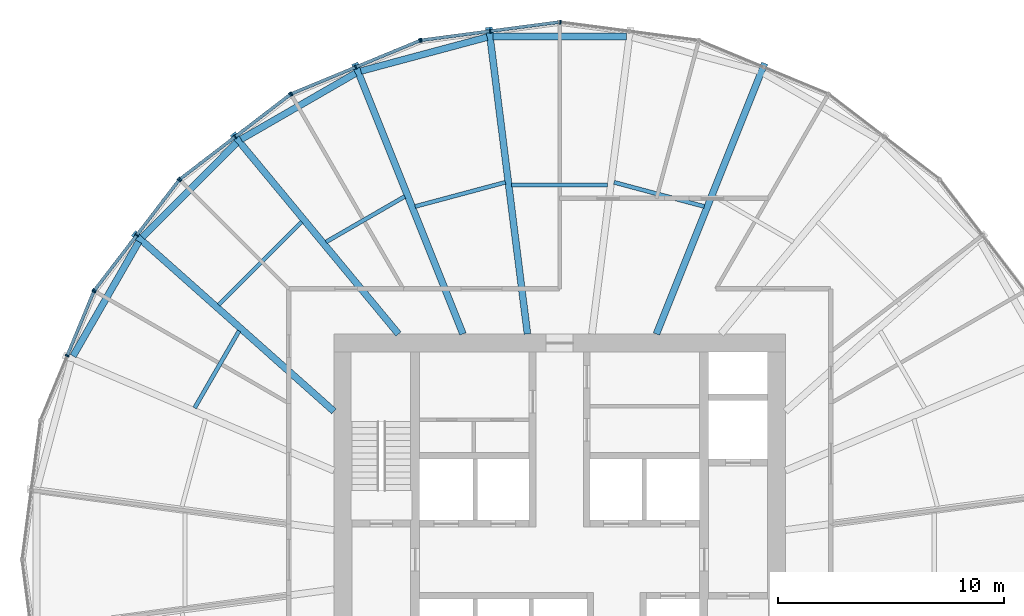
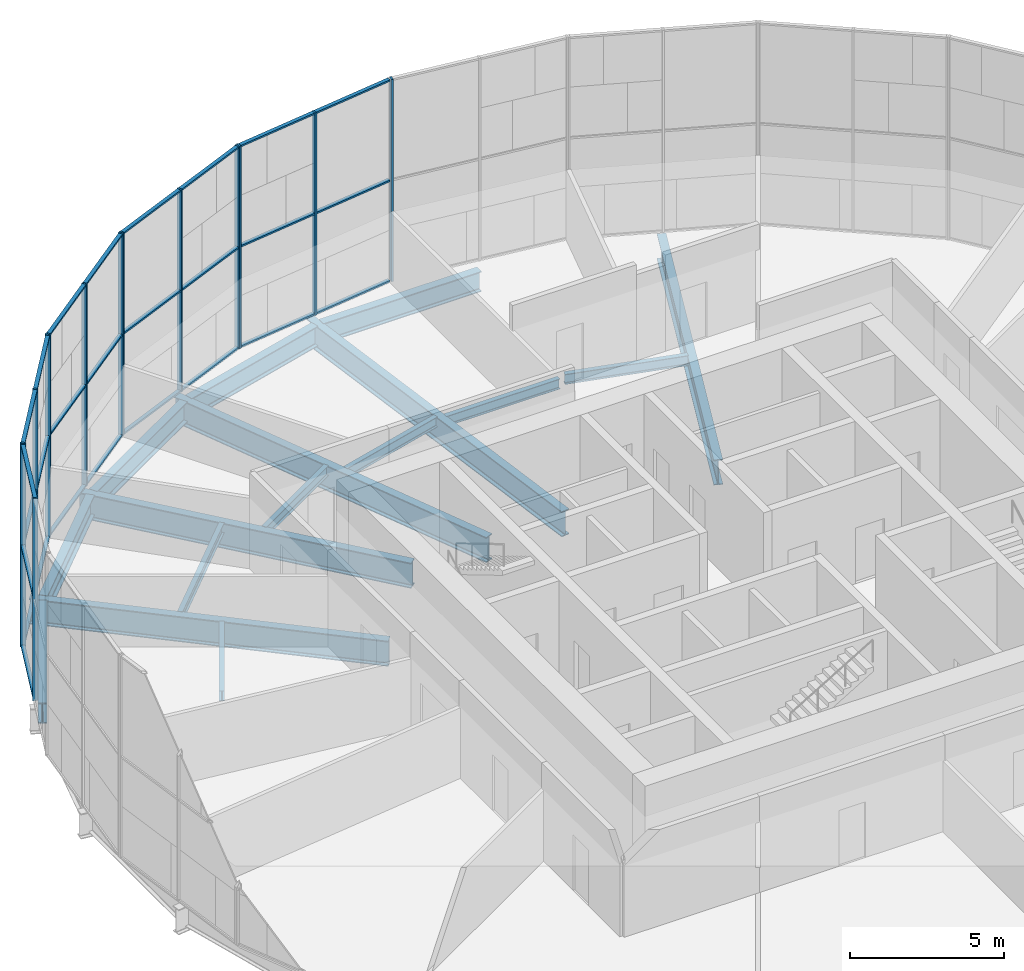
# One storey, part 6 of 18: 41 members, 16 beams, 6 elements without a shape of their own.
"""IFC4 building model written with IfcOpenShell, lengths in metres."""

from ifc_helpers import new_model, si_unit, direction, frame, origin, origin_2d, place, context, subcontext, project, spatial, rectangle, i_section, extrude, material, material_profile, profile_set, type_object, element, aggregate, save


model = new_model("IFC4")

# Units and contexts
model_context = context("Model", 3, precision=1e-05, world=origin(), true_north=direction((0.0, 1.0)))
body_context = subcontext(model_context, "Body", "Model", "MODEL_VIEW")
ifc_project = project(units=[si_unit("LENGTHUNIT", "METRE"), si_unit("AREAUNIT", "SQUARE_METRE"), si_unit("VOLUMEUNIT", "CUBIC_METRE"), si_unit("PLANEANGLEUNIT", "RADIAN"), si_unit("MASSUNIT", "GRAM", prefix="KILO")], contexts=[model_context])

# Site, building, storey
site_placement = place(None, origin())
site = spatial("IfcSite", under=ifc_project, at=site_placement, CompositionType="ELEMENT")
building_placement = place(site_placement, origin())
building = spatial("IfcBuilding", under=site, at=building_placement, Name="Golbaran Civic Tower", CompositionType="ELEMENT")
storey_placement = place(building_placement, frame((0.0, 0.0, 61.0)))
storey = spatial("IfcBuildingStorey", under=building, at=storey_placement, Name="L14", CompositionType="ELEMENT", Elevation=61.0)

# Beams
ifc_material_1 = material(Name="Steel S355", Category="steel")
ifc_material_profile_1 = material_profile(ifc_material_1, i_section(OverallWidth=0.300048828125, OverallDepth=0.800048828125, WebThickness=0.017578125, FlangeThickness=0.032958984375, FilletRadius=0.030029296875, at=origin_2d()), Name="HEB 800")
ifc_profile_set_1 = profile_set([ifc_material_profile_1], Name="Steel S355")
beam_type_1 = type_object("IfcBeamType", Name="EDGE BEAM HEB 800", PredefinedType="BEAM", material=ifc_profile_set_1)
beam_1_placement = place(storey_placement, frame((2.957763671875, 23.178466796875, -0.60009765625), z_axis=(-1.0, 0.0, 0.0), x_axis=(0.0, -1.0, 0.0)))
element("IfcBeam", 1, at=beam_1_placement, inside=storey, type_object=beam_type_1, Name="Edge beam 82.43 L14", PredefinedType="BEAM", context=body_context, shape_type="SweptSolid", body=[
    extrude(i_section(OverallWidth=0.300048828125, OverallDepth=0.800048828125, WebThickness=0.017578125, FlangeThickness=0.032958984375, FilletRadius=0.030029296875, at=origin_2d()), origin(), (0.0, 0.0, 1.0), 5.91552734375),
])
beam_2_placement = place(storey_placement, frame((-3.215576171875, 23.144287109375, -0.60009765625), z_axis=(-0.965827642387, -0.259185194795, 0.0), x_axis=(0.259185194795, -0.965827642387, 0.0)))
element("IfcBeam", 2, at=beam_2_placement, inside=storey, type_object=beam_type_1, Name="Edge beam 97.57 L14", PredefinedType="BEAM", context=body_context, shape_type="SweptSolid", body=[
    extrude(i_section(OverallWidth=0.300048828125, OverallDepth=0.800048828125, WebThickness=0.017578125, FlangeThickness=0.032958984375, FilletRadius=0.030029296875, at=origin_2d()), origin(), (0.0, 0.0, 1.0), 5.787353515625),
])
beam_3_placement = place(storey_placement, frame((-9.04541015625, 21.544677734375, -0.60009765625), z_axis=(-0.866302963931, -0.499518943269, 0.0), x_axis=(0.499518943269, -0.866302963931, 0.0)))
element("IfcBeam", 3, at=beam_3_placement, inside=storey, type_object=beam_type_1, Name="Edge beam 112.43 L14", PredefinedType="BEAM", context=body_context, shape_type="SweptSolid", body=[
    extrude(i_section(OverallWidth=0.300048828125, OverallDepth=0.800048828125, WebThickness=0.017578125, FlangeThickness=0.032958984375, FilletRadius=0.030029296875, at=origin_2d()), origin(), (0.0, 0.0, 1.0), 5.850830078125),
])
beam_4_placement = place(storey_placement, frame((-14.320556640625, 18.4638671875, -0.60009765625), z_axis=(-0.706526914156, -0.707686173083, 0.0), x_axis=(0.707686173083, -0.706526914156, 0.0)))
element("IfcBeam", 4, at=beam_4_placement, inside=storey, type_object=beam_type_1, Name="Edge beam 127.57 L14", PredefinedType="BEAM", context=body_context, shape_type="SweptSolid", body=[
    extrude(i_section(OverallWidth=0.300048828125, OverallDepth=0.800048828125, WebThickness=0.017578125, FlangeThickness=0.032958984375, FilletRadius=0.030029296875, at=origin_2d()), origin(), (0.0, 0.0, 1.0), 5.896728515625),
])
beam_5_placement = place(storey_placement, frame((-18.64501953125, 14.08349609375, -0.60009765625), z_axis=(-0.49836662023, -0.866966384493, 0.0), x_axis=(0.866966384493, -0.49836662023, 0.0)))
element("IfcBeam", 5, at=beam_5_placement, inside=storey, type_object=beam_type_1, Name="Edge beam 142.43 L14", PredefinedType="BEAM", context=body_context, shape_type="SweptSolid", body=[
    extrude(i_section(OverallWidth=0.300048828125, OverallDepth=0.800048828125, WebThickness=0.017578125, FlangeThickness=0.032958984375, FilletRadius=0.030029296875, at=origin_2d()), origin(), (0.0, 0.0, 1.0), 5.837890625),
])
ifc_material_profile_2 = material_profile(ifc_material_1, i_section(OverallWidth=0.179931640625, OverallDepth=0.39990234375, WebThickness=0.008544921875, FlangeThickness=0.013427734375, FilletRadius=0.02099609375, at=origin_2d()), Name="IPE 400")
ifc_profile_set_2 = profile_set([ifc_material_profile_2], Name="Steel S355")
beam_type_2 = type_object("IfcBeamType", Name="FLOOR INFILL BEAM IPE 400", PredefinedType="BEAM", material=ifc_profile_set_2)
beam_6_placement = place(storey_placement, frame((6.404541015625, 15.645263671875, -0.39990234375), z_axis=(-0.965921990313, 0.258833360735, 0.0), x_axis=(-0.258833360735, -0.965921990313, 0.0)))
element("IfcBeam", 6, at=beam_6_placement, inside=storey, type_object=beam_type_2, Name="Infill beam 75.00 L14", PredefinedType="BEAM", context=body_context, shape_type="SweptSolid", body=[
    extrude(i_section(OverallWidth=0.179931640625, OverallDepth=0.39990234375, WebThickness=0.008544921875, FlangeThickness=0.013427734375, FilletRadius=0.02099609375, at=origin_2d()), origin(), (0.0, 0.0, 1.0), 4.139892578125),
])
beam_7_placement = place(storey_placement, frame((2.127685546875, 16.589111328125, -0.39990234375), z_axis=(-1.0, 0.0, 0.0), x_axis=(0.0, -1.0, 0.0)))
element("IfcBeam", 7, at=beam_7_placement, inside=storey, type_object=beam_type_2, Name="Infill beam 90.00 L14", PredefinedType="BEAM", context=body_context, shape_type="SweptSolid", body=[
    extrude(i_section(OverallWidth=0.179931640625, OverallDepth=0.39990234375, WebThickness=0.008544921875, FlangeThickness=0.013427734375, FilletRadius=0.02099609375, at=origin_2d()), origin(), (0.0, 0.0, 1.0), 4.25537109375),
])
beam_8_placement = place(storey_placement, frame((-2.40576171875, 16.716796875, -0.39990234375), z_axis=(-0.965921990313, -0.258833360735, 0.0), x_axis=(0.258833360735, -0.965921990313, 0.0)))
element("IfcBeam", 8, at=beam_8_placement, inside=storey, type_object=beam_type_2, Name="Infill beam 105.00 L14", PredefinedType="BEAM", context=body_context, shape_type="SweptSolid", body=[
    extrude(i_section(OverallWidth=0.179931640625, OverallDepth=0.39990234375, WebThickness=0.008544921875, FlangeThickness=0.013427734375, FilletRadius=0.02099609375, at=origin_2d()), origin(), (0.0, 0.0, 1.0), 4.139892578125),
])
beam_9_placement = place(storey_placement, frame((-6.8623046875, 16.089111328125, -0.39990234375), z_axis=(-0.866033119956, -0.499986634961, 0.0), x_axis=(0.499986634961, -0.866033119956, 0.0)))
element("IfcBeam", 9, at=beam_9_placement, inside=storey, type_object=beam_type_2, Name="Infill beam 120.00 L14", PredefinedType="BEAM", context=body_context, shape_type="SweptSolid", body=[
    extrude(i_section(OverallWidth=0.179931640625, OverallDepth=0.39990234375, WebThickness=0.008544921875, FlangeThickness=0.013427734375, FilletRadius=0.02099609375, at=origin_2d()), origin(), (0.0, 0.0, 1.0), 4.0263671875),
])
beam_10_placement = place(storey_placement, frame((-11.424072265625, 14.96630859375, -0.39990234375), z_axis=(-0.707106781187, -0.707106781187, 0.0), x_axis=(0.707106781187, -0.707106781187, 0.0)))
element("IfcBeam", 10, at=beam_10_placement, inside=storey, type_object=beam_type_2, Name="Infill beam 135.00 L14", PredefinedType="BEAM", context=body_context, shape_type="SweptSolid", body=[
    extrude(i_section(OverallWidth=0.179931640625, OverallDepth=0.39990234375, WebThickness=0.008544921875, FlangeThickness=0.013427734375, FilletRadius=0.02099609375, at=origin_2d()), origin(), (0.0, 0.0, 1.0), 5.20654296875),
])
beam_11_placement = place(storey_placement, frame((-14.201416015625, 10.1328125, -0.39990234375), z_axis=(-0.499985342893, -0.866033865904, 0.0), x_axis=(0.866033865904, -0.499985342893, 0.0)))
element("IfcBeam", 11, at=beam_11_placement, inside=storey, type_object=beam_type_2, Name="Infill beam 150.00 L14", PredefinedType="BEAM", context=body_context, shape_type="SweptSolid", body=[
    extrude(i_section(OverallWidth=0.179931640625, OverallDepth=0.39990234375, WebThickness=0.008544921875, FlangeThickness=0.013427734375, FilletRadius=0.02099609375, at=origin_2d()), origin(), (0.0, 0.0, 1.0), 3.93896484375),
])

# Curtain wall, member
ifc_material_2 = material(Name="Aluminium and glass", Category="aluminium")
curtain_wall_type = type_object("IfcCurtainWallType", Name="INNER SKIN CURTAIN WALL", PredefinedType="NOTDEFINED", material=ifc_material_2)
curtain_wall_1_placement = place(storey_placement, origin())
curtain_wall_1 = element("IfcCurtainWall", 12, at=curtain_wall_1_placement, inside=storey, type_object=curtain_wall_type, Name="Inner skin L14 facet 6 CW1", ObjectType="INNER SKIN", PredefinedType="USERDEFINED")
ifc_material_3 = material(Name="Aluminium", Category="aluminium")
ifc_material_profile_3 = material_profile(ifc_material_3, rectangle(XDim=0.179931640625, YDim=0.06494140625, at=origin_2d()), Name="INNER SKIN CURTAIN WALL MULLION")
ifc_profile_set_3 = profile_set([ifc_material_profile_3], Name="Aluminium")
member_type_1 = type_object("IfcMemberType", Name="INNER SKIN CURTAIN WALL MULLION", PredefinedType="MULLION", material=ifc_profile_set_3)
member_1_placement = place(storey_placement, frame((0.0322265625, 23.812744140625, 0.0), z_axis=(0.0, 0.0, 1.0), x_axis=(-0.130526192185, -0.991444861378, 0.0)))
member_1 = element("IfcMember", 13, at=member_1_placement, type_object=member_type_1, Name="CW1 mullion 3", PredefinedType="MULLION", context=body_context, shape_type="SweptSolid", body=[
    extrude(rectangle(XDim=0.179931640625, YDim=0.06494140625, at=origin_2d()), origin(), (0.0, 0.0, 1.0), 8.0),
])
aggregate(curtain_wall_1, [member_1])

# Curtain wall, members
curtain_wall_2_placement = place(storey_placement, origin())
curtain_wall_2 = element("IfcCurtainWall", 14, at=curtain_wall_2_placement, inside=storey, type_object=curtain_wall_type, Name="Inner skin L14 facet 7 CW1", ObjectType="INNER SKIN", PredefinedType="USERDEFINED")
member_2_placement = place(storey_placement, frame((-3.08203125, 23.4111328125, 0.0), z_axis=(0.0, 0.0, 1.0), x_axis=(0.130526192185, -0.991444861378, 0.0)))
member_2 = element("IfcMember", 15, at=member_2_placement, type_object=member_type_1, Name="CW1 mullion 2", PredefinedType="MULLION", context=body_context, shape_type="SweptSolid", body=[
    extrude(rectangle(XDim=0.179931640625, YDim=0.06494140625, at=origin_2d()), origin(), (0.0, 0.0, 1.0), 8.0),
])
member_3_placement = place(storey_placement, frame((-6.132080078125, 23.009765625, 0.0), z_axis=(0.0, 0.0, 1.0), x_axis=(0.130526192185, -0.991444861378, 0.0)))
member_3 = element("IfcMember", 16, at=member_3_placement, type_object=member_type_1, Name="CW1 mullion 3", PredefinedType="MULLION", context=body_context, shape_type="SweptSolid", body=[
    extrude(rectangle(XDim=0.179931640625, YDim=0.06494140625, at=origin_2d()), origin(), (0.0, 0.0, 1.0), 8.0),
])

curtain_wall_3_placement = place(storey_placement, origin())
curtain_wall_3 = element("IfcCurtainWall", 17, at=curtain_wall_3_placement, inside=storey, type_object=curtain_wall_type, Name="Inner skin L14 facet 8 CW1", ObjectType="INNER SKIN", PredefinedType="USERDEFINED")
member_4_placement = place(storey_placement, frame((-6.1943359375, 22.992919921875, 0.0), z_axis=(0.0, 0.0, 1.0), x_axis=(0.382683432381, -0.923879532505, 0.0)))
member_4 = element("IfcMember", 18, at=member_4_placement, type_object=member_type_1, Name="CW1 mullion 1", PredefinedType="MULLION", context=body_context, shape_type="SweptSolid", body=[
    extrude(rectangle(XDim=0.179931640625, YDim=0.06494140625, at=origin_2d()), origin(), (0.0, 0.0, 1.0), 8.0),
])
member_5_placement = place(storey_placement, frame((-9.036376953125, 21.815673828125, 0.0), z_axis=(0.0, 0.0, 1.0), x_axis=(0.382683432381, -0.923879532505, 0.0)))
member_5 = element("IfcMember", 19, at=member_5_placement, type_object=member_type_1, Name="CW1 mullion 2", PredefinedType="MULLION", context=body_context, shape_type="SweptSolid", body=[
    extrude(rectangle(XDim=0.179931640625, YDim=0.06494140625, at=origin_2d()), origin(), (0.0, 0.0, 1.0), 8.0),
])
member_6_placement = place(storey_placement, frame((-11.87841796875, 20.638671875, 0.0), z_axis=(0.0, 0.0, 1.0), x_axis=(0.382683432381, -0.923879532505, 0.0)))
member_6 = element("IfcMember", 20, at=member_6_placement, type_object=member_type_1, Name="CW1 mullion 3", PredefinedType="MULLION", context=body_context, shape_type="SweptSolid", body=[
    extrude(rectangle(XDim=0.179931640625, YDim=0.06494140625, at=origin_2d()), origin(), (0.0, 0.0, 1.0), 8.0),
])

curtain_wall_4_placement = place(storey_placement, origin())
curtain_wall_4 = element("IfcCurtainWall", 21, at=curtain_wall_4_placement, inside=storey, type_object=curtain_wall_type, Name="Inner skin L14 facet 9 CW1", ObjectType="INNER SKIN", PredefinedType="USERDEFINED")
member_7_placement = place(storey_placement, frame((-11.934326171875, 20.6064453125, 0.0), z_axis=(0.0, 0.0, 1.0), x_axis=(0.608761428926, -0.793353340355, 0.0)))
member_7 = element("IfcMember", 22, at=member_7_placement, type_object=member_type_1, Name="CW1 mullion 1", PredefinedType="MULLION", context=body_context, shape_type="SweptSolid", body=[
    extrude(rectangle(XDim=0.179931640625, YDim=0.06494140625, at=origin_2d()), origin(), (0.0, 0.0, 1.0), 8.0),
])
member_8_placement = place(storey_placement, frame((-14.374755859375, 18.733642578125, 0.0), z_axis=(0.0, 0.0, 1.0), x_axis=(0.608761428926, -0.793353340355, 0.0)))
member_8 = element("IfcMember", 23, at=member_8_placement, type_object=member_type_1, Name="CW1 mullion 2", PredefinedType="MULLION", context=body_context, shape_type="SweptSolid", body=[
    extrude(rectangle(XDim=0.179931640625, YDim=0.06494140625, at=origin_2d()), origin(), (0.0, 0.0, 1.0), 8.0),
])
member_9_placement = place(storey_placement, frame((-16.8154296875, 16.86083984375, 0.0), z_axis=(0.0, 0.0, 1.0), x_axis=(0.608761428926, -0.793353340355, 0.0)))
member_9 = element("IfcMember", 24, at=member_9_placement, type_object=member_type_1, Name="CW1 mullion 3", PredefinedType="MULLION", context=body_context, shape_type="SweptSolid", body=[
    extrude(rectangle(XDim=0.179931640625, YDim=0.06494140625, at=origin_2d()), origin(), (0.0, 0.0, 1.0), 8.0),
])

curtain_wall_5_placement = place(storey_placement, origin())
curtain_wall_5 = element("IfcCurtainWall", 25, at=curtain_wall_5_placement, inside=storey, type_object=curtain_wall_type, Name="Inner skin L14 facet 10 CW1", ObjectType="INNER SKIN", PredefinedType="USERDEFINED")
member_10_placement = place(storey_placement, frame((-16.86083984375, 16.8154296875, 0.0), z_axis=(0.0, 0.0, 1.0), x_axis=(0.793353340355, -0.608761428926, 0.0)))
member_10 = element("IfcMember", 26, at=member_10_placement, type_object=member_type_1, Name="CW1 mullion 1", PredefinedType="MULLION", context=body_context, shape_type="SweptSolid", body=[
    extrude(rectangle(XDim=0.179931640625, YDim=0.06494140625, at=origin_2d()), origin(), (0.0, 0.0, 1.0), 8.0),
])
member_11_placement = place(storey_placement, frame((-18.733642578125, 14.374755859375, 0.0), z_axis=(0.0, 0.0, 1.0), x_axis=(0.793353340355, -0.608761428926, 0.0)))
member_11 = element("IfcMember", 27, at=member_11_placement, type_object=member_type_1, Name="CW1 mullion 2", PredefinedType="MULLION", context=body_context, shape_type="SweptSolid", body=[
    extrude(rectangle(XDim=0.179931640625, YDim=0.06494140625, at=origin_2d()), origin(), (0.0, 0.0, 1.0), 8.0),
])
member_12_placement = place(storey_placement, frame((-20.6064453125, 11.934326171875, 0.0), z_axis=(0.0, 0.0, 1.0), x_axis=(0.793353340355, -0.608761428926, 0.0)))
member_12 = element("IfcMember", 28, at=member_12_placement, type_object=member_type_1, Name="CW1 mullion 3", PredefinedType="MULLION", context=body_context, shape_type="SweptSolid", body=[
    extrude(rectangle(XDim=0.179931640625, YDim=0.06494140625, at=origin_2d()), origin(), (0.0, 0.0, 1.0), 8.0),
])

curtain_wall_6_placement = place(storey_placement, origin())
curtain_wall_6 = element("IfcCurtainWall", 29, at=curtain_wall_6_placement, inside=storey, type_object=curtain_wall_type, Name="Inner skin L14 facet 11 CW1", ObjectType="INNER SKIN", PredefinedType="USERDEFINED")
member_13_placement = place(storey_placement, frame((-20.638671875, 11.87841796875, 0.0), z_axis=(0.0, 0.0, 1.0), x_axis=(0.923879532505, -0.382683432381, 0.0)))
member_13 = element("IfcMember", 30, at=member_13_placement, type_object=member_type_1, Name="CW1 mullion 1", PredefinedType="MULLION", context=body_context, shape_type="SweptSolid", body=[
    extrude(rectangle(XDim=0.179931640625, YDim=0.06494140625, at=origin_2d()), origin(), (0.0, 0.0, 1.0), 8.0),
])
member_14_placement = place(storey_placement, frame((-21.815673828125, 9.036376953125, 0.0), z_axis=(0.0, 0.0, 1.0), x_axis=(0.923879532505, -0.382683432381, 0.0)))
member_14 = element("IfcMember", 31, at=member_14_placement, type_object=member_type_1, Name="CW1 mullion 2", PredefinedType="MULLION", context=body_context, shape_type="SweptSolid", body=[
    extrude(rectangle(XDim=0.179931640625, YDim=0.06494140625, at=origin_2d()), origin(), (0.0, 0.0, 1.0), 8.0),
])

# Member
ifc_material_profile_4 = material_profile(ifc_material_3, rectangle(XDim=0.139892578125, YDim=0.06494140625, at=origin_2d()), Name="INNER SKIN CURTAIN WALL TRANSOM")
ifc_profile_set_4 = profile_set([ifc_material_profile_4], Name="Aluminium")
member_type_2 = type_object("IfcMemberType", Name="INNER SKIN CURTAIN WALL TRANSOM", PredefinedType="USERDEFINED", material=ifc_profile_set_4)
member_15_placement = place(storey_placement, frame((-0.064453125, 23.80859375, 0.032470703125), z_axis=(-0.991443253224, -0.130538406746, 0.0), x_axis=(0.130538406746, -0.991443253224, 0.0)))
member_15 = element("IfcMember", 32, at=member_15_placement, type_object=member_type_2, Name="CW1 transom 1.1", ObjectType="TRANSOM", PredefinedType="USERDEFINED", context=body_context, shape_type="SweptSolid", body=[
    extrude(rectangle(XDim=0.139892578125, YDim=0.06494140625, at=origin_2d()), origin(), (0.0, 0.0, 1.0), 3.01123046875),
])

member_16_placement = place(storey_placement, frame((-0.064453125, 23.80859375, 4.0), z_axis=(-0.991443253224, -0.130538406746, 0.0), x_axis=(0.130538406746, -0.991443253224, 0.0)))
member_16 = element("IfcMember", 33, at=member_16_placement, type_object=member_type_2, Name="CW1 transom 1.2", ObjectType="TRANSOM", PredefinedType="USERDEFINED", context=body_context, shape_type="SweptSolid", body=[
    extrude(rectangle(XDim=0.139892578125, YDim=0.06494140625, at=origin_2d()), origin(), (0.0, 0.0, 1.0), 3.01123046875),
])

member_17_placement = place(storey_placement, frame((-0.064453125, 23.80859375, 7.967529296875), z_axis=(-0.991443253224, -0.130538406746, 0.0), x_axis=(0.130538406746, -0.991443253224, 0.0)))
member_17 = element("IfcMember", 34, at=member_17_placement, type_object=member_type_2, Name="CW1 transom 1.3", ObjectType="TRANSOM", PredefinedType="USERDEFINED", context=body_context, shape_type="SweptSolid", body=[
    extrude(rectangle(XDim=0.139892578125, YDim=0.06494140625, at=origin_2d()), origin(), (0.0, 0.0, 1.0), 3.01123046875),
])

member_18_placement = place(storey_placement, frame((-3.1142578125, 23.406982421875, 0.032470703125), z_axis=(-0.991444634679, -0.130527914125, 0.0), x_axis=(0.130527914125, -0.991444634679, 0.0)))
member_18 = element("IfcMember", 35, at=member_18_placement, type_object=member_type_2, Name="CW1 transom 2.1", ObjectType="TRANSOM", PredefinedType="USERDEFINED", context=body_context, shape_type="SweptSolid", body=[
    extrude(rectangle(XDim=0.139892578125, YDim=0.06494140625, at=origin_2d()), origin(), (0.0, 0.0, 1.0), 3.011474609375),
])

member_19_placement = place(storey_placement, frame((-3.1142578125, 23.406982421875, 4.0), z_axis=(-0.991444634679, -0.130527914125, 0.0), x_axis=(0.130527914125, -0.991444634679, 0.0)))
member_19 = element("IfcMember", 36, at=member_19_placement, type_object=member_type_2, Name="CW1 transom 2.2", ObjectType="TRANSOM", PredefinedType="USERDEFINED", context=body_context, shape_type="SweptSolid", body=[
    extrude(rectangle(XDim=0.139892578125, YDim=0.06494140625, at=origin_2d()), origin(), (0.0, 0.0, 1.0), 3.011474609375),
])

member_20_placement = place(storey_placement, frame((-3.1142578125, 23.406982421875, 7.967529296875), z_axis=(-0.991444634679, -0.130527914125, 0.0), x_axis=(0.130527914125, -0.991444634679, 0.0)))
member_20 = element("IfcMember", 37, at=member_20_placement, type_object=member_type_2, Name="CW1 transom 2.3", ObjectType="TRANSOM", PredefinedType="USERDEFINED", context=body_context, shape_type="SweptSolid", body=[
    extrude(rectangle(XDim=0.139892578125, YDim=0.06494140625, at=origin_2d()), origin(), (0.0, 0.0, 1.0), 3.011474609375),
])

aggregate(curtain_wall_2, [member_2, member_3, member_15, member_16, member_17, member_18, member_19, member_20])

member_21_placement = place(storey_placement, frame((-6.224365234375, 22.98046875, 0.032470703125), z_axis=(-0.923878487466, -0.382685955317, 0.0), x_axis=(0.382685955317, -0.923878487466, 0.0)))
member_21 = element("IfcMember", 38, at=member_21_placement, type_object=member_type_2, Name="CW1 transom 1.1", ObjectType="TRANSOM", PredefinedType="USERDEFINED", context=body_context, shape_type="SweptSolid", body=[
    extrude(rectangle(XDim=0.139892578125, YDim=0.06494140625, at=origin_2d()), origin(), (0.0, 0.0, 1.0), 3.01123046875),
])

member_22_placement = place(storey_placement, frame((-6.224365234375, 22.98046875, 4.0), z_axis=(-0.923878487466, -0.382685955317, 0.0), x_axis=(0.382685955317, -0.923878487466, 0.0)))
member_22 = element("IfcMember", 39, at=member_22_placement, type_object=member_type_2, Name="CW1 transom 1.2", ObjectType="TRANSOM", PredefinedType="USERDEFINED", context=body_context, shape_type="SweptSolid", body=[
    extrude(rectangle(XDim=0.139892578125, YDim=0.06494140625, at=origin_2d()), origin(), (0.0, 0.0, 1.0), 3.01123046875),
])

member_23_placement = place(storey_placement, frame((-6.224365234375, 22.98046875, 7.967529296875), z_axis=(-0.923878487466, -0.382685955317, 0.0), x_axis=(0.382685955317, -0.923878487466, 0.0)))
member_23 = element("IfcMember", 40, at=member_23_placement, type_object=member_type_2, Name="CW1 transom 1.3", ObjectType="TRANSOM", PredefinedType="USERDEFINED", context=body_context, shape_type="SweptSolid", body=[
    extrude(rectangle(XDim=0.139892578125, YDim=0.06494140625, at=origin_2d()), origin(), (0.0, 0.0, 1.0), 3.01123046875),
])

member_24_placement = place(storey_placement, frame((-9.06640625, 21.803466796875, 0.032470703125), z_axis=(-0.923878487466, -0.382685955317, 0.0), x_axis=(0.382685955317, -0.923878487466, 0.0)))
member_24 = element("IfcMember", 41, at=member_24_placement, type_object=member_type_2, Name="CW1 transom 2.1", ObjectType="TRANSOM", PredefinedType="USERDEFINED", context=body_context, shape_type="SweptSolid", body=[
    extrude(rectangle(XDim=0.139892578125, YDim=0.06494140625, at=origin_2d()), origin(), (0.0, 0.0, 1.0), 3.01123046875),
])

member_25_placement = place(storey_placement, frame((-9.06640625, 21.803466796875, 4.0), z_axis=(-0.923878487466, -0.382685955317, 0.0), x_axis=(0.382685955317, -0.923878487466, 0.0)))
member_25 = element("IfcMember", 42, at=member_25_placement, type_object=member_type_2, Name="CW1 transom 2.2", ObjectType="TRANSOM", PredefinedType="USERDEFINED", context=body_context, shape_type="SweptSolid", body=[
    extrude(rectangle(XDim=0.139892578125, YDim=0.06494140625, at=origin_2d()), origin(), (0.0, 0.0, 1.0), 3.01123046875),
])

member_26_placement = place(storey_placement, frame((-9.06640625, 21.803466796875, 7.967529296875), z_axis=(-0.923878487466, -0.382685955317, 0.0), x_axis=(0.382685955317, -0.923878487466, 0.0)))
member_26 = element("IfcMember", 43, at=member_26_placement, type_object=member_type_2, Name="CW1 transom 2.3", ObjectType="TRANSOM", PredefinedType="USERDEFINED", context=body_context, shape_type="SweptSolid", body=[
    extrude(rectangle(XDim=0.139892578125, YDim=0.06494140625, at=origin_2d()), origin(), (0.0, 0.0, 1.0), 3.01123046875),
])

aggregate(curtain_wall_3, [member_4, member_5, member_6, member_21, member_22, member_23, member_24, member_25, member_26])

member_27_placement = place(storey_placement, frame((-11.9599609375, 20.586669921875, 0.032470703125), z_axis=(-0.793355764091, -0.608758270239, 0.0), x_axis=(0.608758270239, -0.793355764091, 0.0)))
member_27 = element("IfcMember", 44, at=member_27_placement, type_object=member_type_2, Name="CW1 transom 1.1", ObjectType="TRANSOM", PredefinedType="USERDEFINED", context=body_context, shape_type="SweptSolid", body=[
    extrude(rectangle(XDim=0.139892578125, YDim=0.06494140625, at=origin_2d()), origin(), (0.0, 0.0, 1.0), 3.011474609375),
])

member_28_placement = place(storey_placement, frame((-11.9599609375, 20.586669921875, 4.0), z_axis=(-0.793355764091, -0.608758270239, 0.0), x_axis=(0.608758270239, -0.793355764091, 0.0)))
member_28 = element("IfcMember", 45, at=member_28_placement, type_object=member_type_2, Name="CW1 transom 1.2", ObjectType="TRANSOM", PredefinedType="USERDEFINED", context=body_context, shape_type="SweptSolid", body=[
    extrude(rectangle(XDim=0.139892578125, YDim=0.06494140625, at=origin_2d()), origin(), (0.0, 0.0, 1.0), 3.011474609375),
])

member_29_placement = place(storey_placement, frame((-11.9599609375, 20.586669921875, 7.967529296875), z_axis=(-0.793355764091, -0.608758270239, 0.0), x_axis=(0.608758270239, -0.793355764091, 0.0)))
member_29 = element("IfcMember", 46, at=member_29_placement, type_object=member_type_2, Name="CW1 transom 1.3", ObjectType="TRANSOM", PredefinedType="USERDEFINED", context=body_context, shape_type="SweptSolid", body=[
    extrude(rectangle(XDim=0.139892578125, YDim=0.06494140625, at=origin_2d()), origin(), (0.0, 0.0, 1.0), 3.011474609375),
])

member_30_placement = place(storey_placement, frame((-14.400634765625, 18.7138671875, 0.032470703125), z_axis=(-0.793325717554, -0.60879742597, 0.0), x_axis=(0.60879742597, -0.793325717554, 0.0)))
member_30 = element("IfcMember", 47, at=member_30_placement, type_object=member_type_2, Name="CW1 transom 2.1", ObjectType="TRANSOM", PredefinedType="USERDEFINED", context=body_context, shape_type="SweptSolid", body=[
    extrude(rectangle(XDim=0.139892578125, YDim=0.06494140625, at=origin_2d()), origin(), (0.0, 0.0, 1.0), 3.01123046875),
])

member_31_placement = place(storey_placement, frame((-14.400634765625, 18.7138671875, 4.0), z_axis=(-0.793325717554, -0.60879742597, 0.0), x_axis=(0.60879742597, -0.793325717554, 0.0)))
member_31 = element("IfcMember", 48, at=member_31_placement, type_object=member_type_2, Name="CW1 transom 2.2", ObjectType="TRANSOM", PredefinedType="USERDEFINED", context=body_context, shape_type="SweptSolid", body=[
    extrude(rectangle(XDim=0.139892578125, YDim=0.06494140625, at=origin_2d()), origin(), (0.0, 0.0, 1.0), 3.01123046875),
])

member_32_placement = place(storey_placement, frame((-14.400634765625, 18.7138671875, 7.967529296875), z_axis=(-0.793325717554, -0.60879742597, 0.0), x_axis=(0.60879742597, -0.793325717554, 0.0)))
member_32 = element("IfcMember", 49, at=member_32_placement, type_object=member_type_2, Name="CW1 transom 2.3", ObjectType="TRANSOM", PredefinedType="USERDEFINED", context=body_context, shape_type="SweptSolid", body=[
    extrude(rectangle(XDim=0.139892578125, YDim=0.06494140625, at=origin_2d()), origin(), (0.0, 0.0, 1.0), 3.01123046875),
])

aggregate(curtain_wall_4, [member_7, member_8, member_9, member_27, member_28, member_29, member_30, member_31, member_32])

member_33_placement = place(storey_placement, frame((-16.880615234375, 16.78955078125, 0.032470703125), z_axis=(-0.60879742597, -0.793325717554, 0.0), x_axis=(0.793325717554, -0.60879742597, 0.0)))
member_33 = element("IfcMember", 50, at=member_33_placement, type_object=member_type_2, Name="CW1 transom 1.1", ObjectType="TRANSOM", PredefinedType="USERDEFINED", context=body_context, shape_type="SweptSolid", body=[
    extrude(rectangle(XDim=0.139892578125, YDim=0.06494140625, at=origin_2d()), origin(), (0.0, 0.0, 1.0), 3.01123046875),
])

member_34_placement = place(storey_placement, frame((-16.880615234375, 16.78955078125, 4.0), z_axis=(-0.60879742597, -0.793325717554, 0.0), x_axis=(0.793325717554, -0.60879742597, 0.0)))
member_34 = element("IfcMember", 51, at=member_34_placement, type_object=member_type_2, Name="CW1 transom 1.2", ObjectType="TRANSOM", PredefinedType="USERDEFINED", context=body_context, shape_type="SweptSolid", body=[
    extrude(rectangle(XDim=0.139892578125, YDim=0.06494140625, at=origin_2d()), origin(), (0.0, 0.0, 1.0), 3.01123046875),
])

member_35_placement = place(storey_placement, frame((-16.880615234375, 16.78955078125, 7.967529296875), z_axis=(-0.60879742597, -0.793325717554, 0.0), x_axis=(0.793325717554, -0.60879742597, 0.0)))
member_35 = element("IfcMember", 52, at=member_35_placement, type_object=member_type_2, Name="CW1 transom 1.3", ObjectType="TRANSOM", PredefinedType="USERDEFINED", context=body_context, shape_type="SweptSolid", body=[
    extrude(rectangle(XDim=0.139892578125, YDim=0.06494140625, at=origin_2d()), origin(), (0.0, 0.0, 1.0), 3.01123046875),
])

member_36_placement = place(storey_placement, frame((-18.75341796875, 14.34912109375, 0.032470703125), z_axis=(-0.608758270239, -0.793355764091, 0.0), x_axis=(0.793355764091, -0.608758270239, 0.0)))
member_36 = element("IfcMember", 53, at=member_36_placement, type_object=member_type_2, Name="CW1 transom 2.1", ObjectType="TRANSOM", PredefinedType="USERDEFINED", context=body_context, shape_type="SweptSolid", body=[
    extrude(rectangle(XDim=0.139892578125, YDim=0.06494140625, at=origin_2d()), origin(), (0.0, 0.0, 1.0), 3.011474609375),
])

member_37_placement = place(storey_placement, frame((-18.75341796875, 14.34912109375, 4.0), z_axis=(-0.608758270239, -0.793355764091, 0.0), x_axis=(0.793355764091, -0.608758270239, 0.0)))
member_37 = element("IfcMember", 54, at=member_37_placement, type_object=member_type_2, Name="CW1 transom 2.2", ObjectType="TRANSOM", PredefinedType="USERDEFINED", context=body_context, shape_type="SweptSolid", body=[
    extrude(rectangle(XDim=0.139892578125, YDim=0.06494140625, at=origin_2d()), origin(), (0.0, 0.0, 1.0), 3.011474609375),
])

member_38_placement = place(storey_placement, frame((-18.75341796875, 14.34912109375, 7.967529296875), z_axis=(-0.608758270239, -0.793355764091, 0.0), x_axis=(0.793355764091, -0.608758270239, 0.0)))
member_38 = element("IfcMember", 55, at=member_38_placement, type_object=member_type_2, Name="CW1 transom 2.3", ObjectType="TRANSOM", PredefinedType="USERDEFINED", context=body_context, shape_type="SweptSolid", body=[
    extrude(rectangle(XDim=0.139892578125, YDim=0.06494140625, at=origin_2d()), origin(), (0.0, 0.0, 1.0), 3.011474609375),
])

aggregate(curtain_wall_5, [member_10, member_11, member_12, member_33, member_34, member_35, member_36, member_37, member_38])

member_39_placement = place(storey_placement, frame((-20.651123046875, 11.848388671875, 0.032470703125), z_axis=(-0.382685955317, -0.923878487466, 0.0), x_axis=(0.923878487466, -0.382685955317, 0.0)))
member_39 = element("IfcMember", 56, at=member_39_placement, type_object=member_type_2, Name="CW1 transom 1.1", ObjectType="TRANSOM", PredefinedType="USERDEFINED", context=body_context, shape_type="SweptSolid", body=[
    extrude(rectangle(XDim=0.139892578125, YDim=0.06494140625, at=origin_2d()), origin(), (0.0, 0.0, 1.0), 3.01123046875),
])

member_40_placement = place(storey_placement, frame((-20.651123046875, 11.848388671875, 4.0), z_axis=(-0.382685955317, -0.923878487466, 0.0), x_axis=(0.923878487466, -0.382685955317, 0.0)))
member_40 = element("IfcMember", 57, at=member_40_placement, type_object=member_type_2, Name="CW1 transom 1.2", ObjectType="TRANSOM", PredefinedType="USERDEFINED", context=body_context, shape_type="SweptSolid", body=[
    extrude(rectangle(XDim=0.139892578125, YDim=0.06494140625, at=origin_2d()), origin(), (0.0, 0.0, 1.0), 3.01123046875),
])

member_41_placement = place(storey_placement, frame((-20.651123046875, 11.848388671875, 7.967529296875), z_axis=(-0.382685955317, -0.923878487466, 0.0), x_axis=(0.923878487466, -0.382685955317, 0.0)))
member_41 = element("IfcMember", 58, at=member_41_placement, type_object=member_type_2, Name="CW1 transom 1.3", ObjectType="TRANSOM", PredefinedType="USERDEFINED", context=body_context, shape_type="SweptSolid", body=[
    extrude(rectangle(XDim=0.139892578125, YDim=0.06494140625, at=origin_2d()), origin(), (0.0, 0.0, 1.0), 3.01123046875),
])

aggregate(curtain_wall_6, [member_13, member_14, member_39, member_40, member_41])

# Beams
ifc_material_profile_5 = material_profile(ifc_material_1, i_section(OverallWidth=0.300048828125, OverallDepth=1.0, WebThickness=0.01904296875, FlangeThickness=0.035888671875, FilletRadius=0.030029296875, at=origin_2d()), Name="HEB 1000")
ifc_profile_set_5 = profile_set([ifc_material_profile_5], Name="Steel S355")
beam_type_3 = type_object("IfcBeamType", Name="RADIAL FLOOR BEAM HEB 1000", PredefinedType="BEAM", material=ifc_profile_set_5)
beam_12_placement = place(storey_placement, frame((4.28564453125, 10.0, -0.7099609375), z_axis=(0.371511289323, 0.92842843661, 0.0), x_axis=(-0.92842843661, 0.371511289323, 0.0)))
element("IfcBeam", 59, at=beam_12_placement, inside=storey, type_object=beam_type_3, Name="Radial beam 67.57 L14", PredefinedType="BEAM", context=body_context, shape_type="SweptSolid", body=[
    extrude(i_section(OverallWidth=0.300048828125, OverallDepth=1.0, WebThickness=0.01904296875, FlangeThickness=0.035888671875, FilletRadius=0.030029296875, at=origin_2d()), origin(), (0.0, 0.0, 1.0), 12.912353515625),
])
beam_13_placement = place(storey_placement, frame((-1.428466796875, 10.0, -0.7099609375), z_axis=(-0.124991624098, 0.992157796878, 0.0), x_axis=(-0.992157796878, -0.124991624098, 0.0)))
element("IfcBeam", 60, at=beam_13_placement, inside=storey, type_object=beam_type_3, Name="Radial beam 97.57 L14", PredefinedType="BEAM", context=body_context, shape_type="SweptSolid", body=[
    extrude(i_section(OverallWidth=0.300048828125, OverallDepth=1.0, WebThickness=0.01904296875, FlangeThickness=0.035888671875, FilletRadius=0.030029296875, at=origin_2d()), origin(), (0.0, 0.0, 1.0), 13.6904296875),
])
beam_14_placement = place(storey_placement, frame((-4.28564453125, 10.0, -0.7099609375), z_axis=(-0.371511289323, 0.92842843661, 0.0), x_axis=(-0.92842843661, -0.371511289323, 0.0)))
element("IfcBeam", 61, at=beam_14_placement, inside=storey, type_object=beam_type_3, Name="Radial beam 112.43 L14", PredefinedType="BEAM", context=body_context, shape_type="SweptSolid", body=[
    extrude(i_section(OverallWidth=0.300048828125, OverallDepth=1.0, WebThickness=0.01904296875, FlangeThickness=0.035888671875, FilletRadius=0.030029296875, at=origin_2d()), origin(), (0.0, 0.0, 1.0), 12.912353515625),
])
beam_15_placement = place(storey_placement, frame((-7.142822265625, 10.0, -0.7099609375), z_axis=(-0.637799822524, 0.770202172412, 0.0), x_axis=(-0.770202172412, -0.637799822524, 0.0)))
element("IfcBeam", 62, at=beam_15_placement, inside=storey, type_object=beam_type_3, Name="Radial beam 127.57 L14", PredefinedType="BEAM", context=body_context, shape_type="SweptSolid", body=[
    extrude(i_section(OverallWidth=0.300048828125, OverallDepth=1.0, WebThickness=0.01904296875, FlangeThickness=0.035888671875, FilletRadius=0.030029296875, at=origin_2d()), origin(), (0.0, 0.0, 1.0), 11.515380859375),
])
beam_16_placement = place(storey_placement, frame((-10.0, 6.571533203125, -0.7099609375), z_axis=(-0.747356046035, 0.664423765721, 0.0), x_axis=(-0.664423765721, -0.747356046035, 0.0)))
element("IfcBeam", 63, at=beam_16_placement, inside=storey, type_object=beam_type_3, Name="Radial beam 142.43 L14", PredefinedType="BEAM", context=body_context, shape_type="SweptSolid", body=[
    extrude(i_section(OverallWidth=0.300048828125, OverallDepth=1.0, WebThickness=0.01904296875, FlangeThickness=0.035888671875, FilletRadius=0.030029296875, at=origin_2d()), origin(), (0.0, 0.0, 1.0), 11.88427734375),
])

save(model, "model.ifc")
